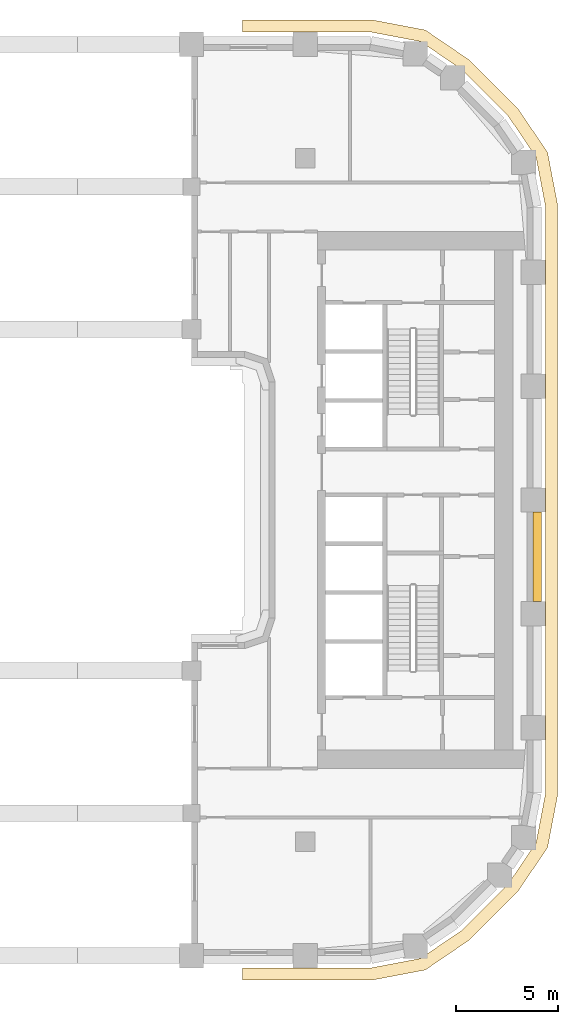
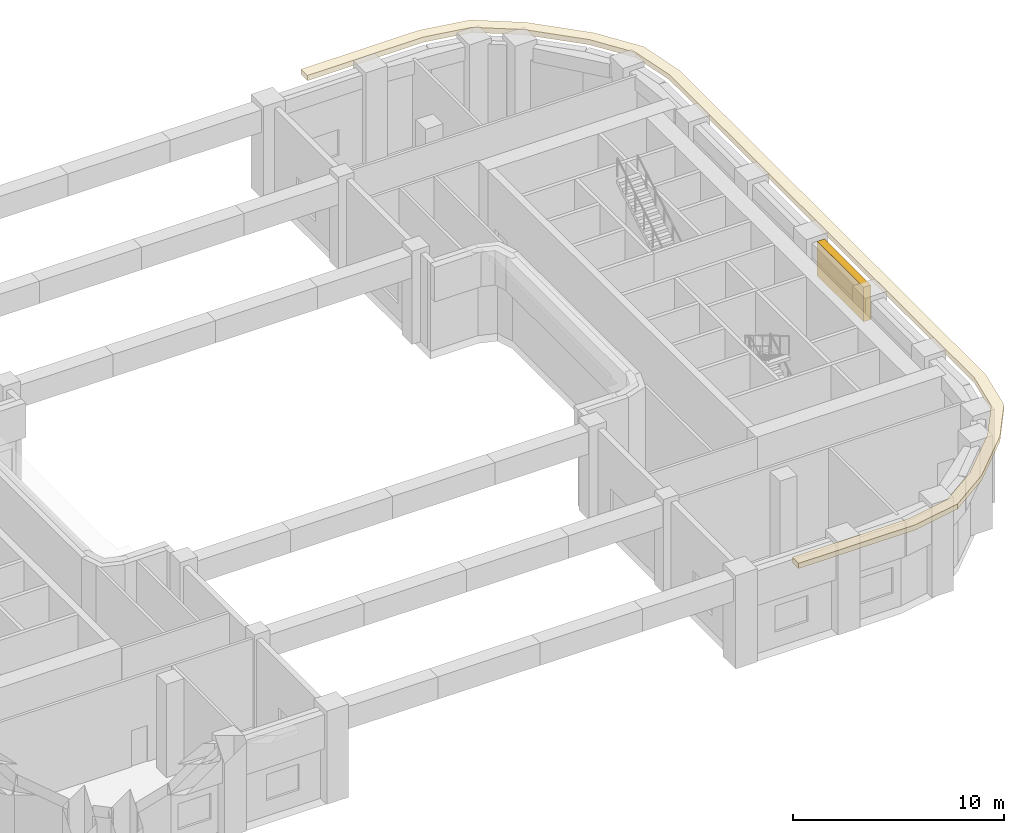
# One storey, part 12 of 14: 2 coverings.
"""IFC4 building model written with IfcOpenShell, lengths in metres."""

from ifc_helpers import new_model, si_unit, direction, frame, origin, origin_2d, place, context, subcontext, project, spatial, polyline, rectangle, outline, extrude, material, layer, layer_set, type_object, element, save


model = new_model("IFC4")

# Units and contexts
model_context = context("Model", 3, precision=1e-05, world=origin(), true_north=direction((0.0, 1.0)))
body_context = subcontext(model_context, "Body", "Model", "MODEL_VIEW")
ifc_project = project(units=[si_unit("LENGTHUNIT", "METRE"), si_unit("AREAUNIT", "SQUARE_METRE"), si_unit("VOLUMEUNIT", "CUBIC_METRE"), si_unit("PLANEANGLEUNIT", "RADIAN"), si_unit("MASSUNIT", "GRAM", prefix="KILO")], contexts=[model_context])

# Site, building, storey
site_placement = place(None, origin())
site = spatial("IfcSite", under=ifc_project, at=site_placement, CompositionType="ELEMENT")
building_placement = place(site_placement, origin())
building = spatial("IfcBuilding", under=site, at=building_placement, Name="Kiln Ring Residences", CompositionType="ELEMENT")
storey_placement = place(building_placement, frame((0.0, 0.0, 130.699951171875)))
storey = spatial("IfcBuildingStorey", under=building, at=storey_placement, Name="L33", CompositionType="ELEMENT", Elevation=130.699951171875)

# Coverings
ifc_material_1 = material(Name="Black powder-coated steel", Category="steel")
ifc_layer = layer(ifc_material_1, 0.300048828125)
ifc_layer_set = layer_set([ifc_layer], Name="SUNSHADE FIN 600")
covering_type_1 = type_object("IfcCoveringType", Name="SUNSHADE FIN 600", PredefinedType="CLADDING", material=ifc_layer_set)
covering_1_placement = place(storey_placement, frame((0.0, 0.0, 5.10009765625)))
element("IfcCovering", 1, at=covering_1_placement, inside=storey, type_object=covering_type_1, Name="SUNSHADE FIN L33", PredefinedType="CLADDING", context=body_context, shape_type="SweptSolid", body=[
    extrude(outline(polyline([(20.11328125, 23.60009765625), (13.699951171875, 23.60009765625), (13.699951171875, 23.0), (20.056640625, 23.0), (22.458740234375, 22.541748046875), (24.481201171875, 21.167236328125), (26.767333984375, 18.881103515625), (28.141845703125, 16.858642578125), (28.60009765625, 14.456787109375), (28.60009765625, -14.456787109375), (28.141845703125, -16.858642578125), (26.767333984375, -18.881103515625), (24.481201171875, -21.167236328125), (22.458740234375, -22.541748046875), (20.056640625, -23.0), (13.699951171875, -23.0), (13.699951171875, -23.60009765625), (20.11328125, -23.60009765625), (22.693115234375, -23.10791015625), (24.865478515625, -21.631591796875), (27.231689453125, -19.265380859375), (28.7080078125, -17.09326171875), (29.199951171875, -14.513427734375), (29.199951171875, 14.513427734375), (28.7080078125, 17.09326171875), (27.231689453125, 19.265380859375), (24.865478515625, 21.631591796875), (22.693115234375, 23.10791015625), (20.11328125, 23.60009765625)])), origin(), (0.0, 0.0, 1.0), 0.300048828125),
])
ifc_material_2 = material(Name="Concrete C35/45, exposed aggregate finish", Category="concrete")
covering_type_2 = type_object("IfcCoveringType", Name="TIE BAND 2000 x 400", PredefinedType="CLADDING", material=ifc_material_2)
covering_2_placement = place(storey_placement, frame((28.199951171875, -2.800048828125, 3.10009765625), z_axis=(0.0, 0.0, 1.0), x_axis=(0.0, 1.0, 0.0)))
element("IfcCovering", 2, at=covering_2_placement, inside=storey, type_object=covering_type_2, Name="TIE BAND L33", PredefinedType="CLADDING", context=body_context, shape_type="SweptSolid", body=[
    extrude(rectangle(XDim=4.39990234375, YDim=0.39990234375, at=origin_2d()), origin(), (0.0, 0.0, 1.0), 2.0),
])

save(model, "model.ifc")
